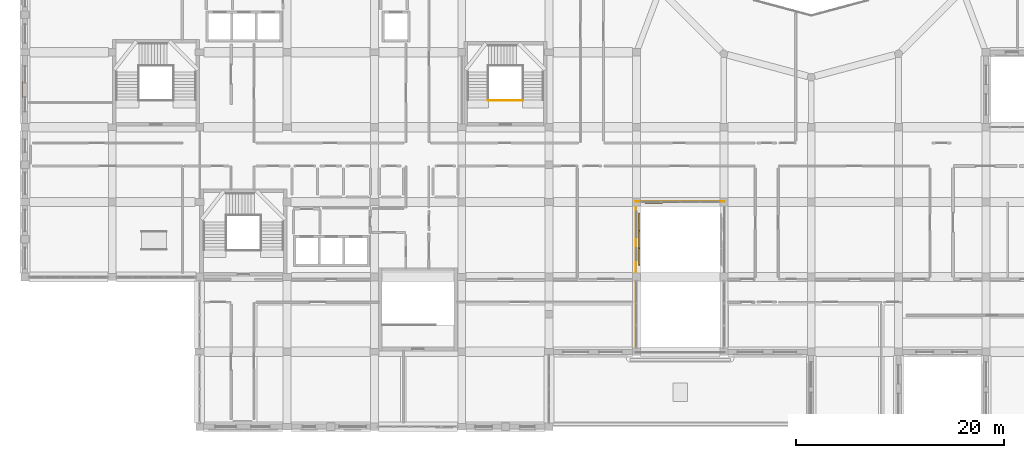
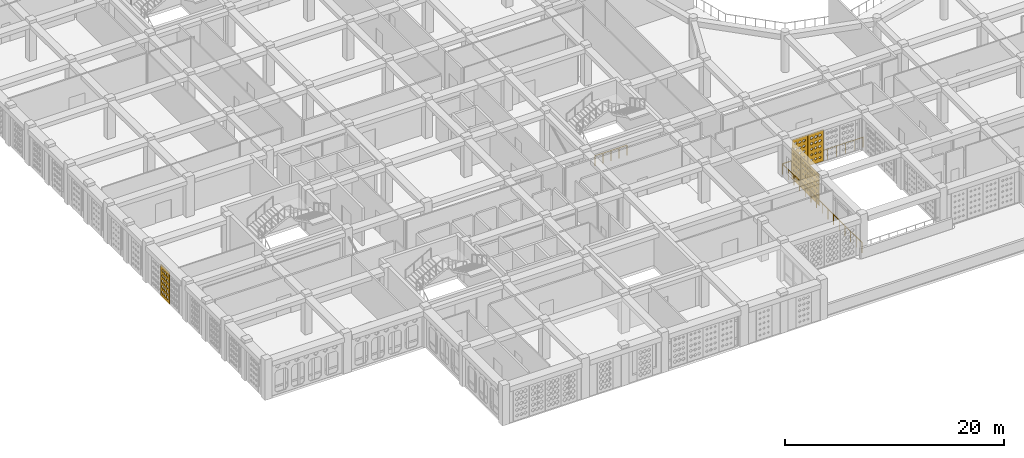
# One storey, part 79 of 111: 6 coverings, 3 railings.
"""IFC4 building model written with IfcOpenShell, lengths in metres."""

from ifc_helpers import new_model, si_unit, derived_unit, direction, frame, origin, origin_2d, place, context, subcontext, project, spatial, polyline, circle, outline, extrude, material, layer, layer_set, type_object, element, save


model = new_model("IFC4")

# Units and contexts
model_context = context("Model", 3, precision=1e-05, world=origin(), true_north=direction((0.0, 1.0)))
body_context = subcontext(model_context, "Body", "Model", "MODEL_VIEW")
ifc_project = project(units=[si_unit("LENGTHUNIT", "METRE"), si_unit("AREAUNIT", "SQUARE_METRE"), si_unit("VOLUMEUNIT", "CUBIC_METRE"), si_unit("PLANEANGLEUNIT", "RADIAN"), si_unit("MASSUNIT", "GRAM", prefix="KILO"), derived_unit("THERMALTRANSMITTANCEUNIT", [(si_unit("POWERUNIT", "WATT"), 1), (si_unit("LENGTHUNIT", "METRE"), -2), (si_unit("THERMODYNAMICTEMPERATUREUNIT", "KELVIN"), -1)])], contexts=[model_context])

# Site, building, storey
site_placement = place(None, origin())
site = spatial("IfcSite", under=ifc_project, at=site_placement, CompositionType="ELEMENT")
building_placement = place(site_placement, origin())
building = spatial("IfcBuilding", under=site, at=building_placement, Name="Veybourne Emporium", CompositionType="ELEMENT")
storey_placement = place(building_placement, frame((0.0, 0.0, 9.89990234375)))
storey = spatial("IfcBuildingStorey", under=building, at=storey_placement, Name="L02", CompositionType="ELEMENT", Elevation=9.89990234375)

# Railings
ifc_material_1 = material(Name="Patinated Architectural Bronze", Category="bronze")
railing_type_1 = type_object("IfcRailingType", Name="Balustrade_BL-01", PredefinedType="BALUSTRADE", material=ifc_material_1)
railing_1_placement = place(storey_placement, frame((67.260009765625, 21.659912109375, 0.0)))
element("IfcRailing", 1, at=railing_1_placement, inside=storey, type_object=railing_type_1, Name="L02 shopping arcade gallery balustrade 3", PredefinedType="BALUSTRADE", context=body_context, shape_type="SweptSolid", body=[
    extrude(circle(Radius=0.02392578125, at=origin_2d()), frame((0.0, 0.0, 1.1259765625), z_axis=(-1.0, 0.0, 0.0), x_axis=(0.0, -1.0, 0.0)), (0.0, 0.0, 1.0), 8.52001953125),
    extrude(circle(Radius=0.02099609375, at=origin_2d()), origin(), (0.0, 0.0, 1.0), 1.101806640625),
    extrude(circle(Radius=0.02099609375, at=origin_2d()), frame((-0.94677734375, 0.0, 0.0)), (0.0, 0.0, 1.0), 1.101806640625),
    extrude(circle(Radius=0.02099609375, at=origin_2d()), frame((-1.893310546875, 0.0, 0.0)), (0.0, 0.0, 1.0), 1.101806640625),
    extrude(circle(Radius=0.02099609375, at=origin_2d()), frame((-2.840087890625, 0.0, 0.0)), (0.0, 0.0, 1.0), 1.101806640625),
    extrude(circle(Radius=0.02099609375, at=origin_2d()), frame((-3.78662109375, 0.0, 0.0)), (0.0, 0.0, 1.0), 1.101806640625),
    extrude(circle(Radius=0.02099609375, at=origin_2d()), frame((-4.7333984375, 0.0, 0.0)), (0.0, 0.0, 1.0), 1.101806640625),
    extrude(circle(Radius=0.02099609375, at=origin_2d()), frame((-5.679931640625, 0.0, 0.0)), (0.0, 0.0, 1.0), 1.101806640625),
    extrude(circle(Radius=0.02099609375, at=origin_2d()), frame((-6.626708984375, 0.0, 0.0)), (0.0, 0.0, 1.0), 1.101806640625),
    extrude(circle(Radius=0.02099609375, at=origin_2d()), frame((-7.5732421875, 0.0, 0.0)), (0.0, 0.0, 1.0), 1.101806640625),
    extrude(circle(Radius=0.02099609375, at=origin_2d()), frame((-8.52001953125, 0.0, 0.0)), (0.0, 0.0, 1.0), 1.101806640625),
])
railing_2_placement = place(storey_placement, frame((58.739990234375, 21.659912109375, 0.0)))
element("IfcRailing", 2, at=railing_2_placement, inside=storey, type_object=railing_type_1, Name="L02 shopping arcade gallery balustrade 4", PredefinedType="BALUSTRADE", context=body_context, shape_type="SweptSolid", body=[
    extrude(circle(Radius=0.02392578125, at=origin_2d()), frame((0.0, 0.0, 1.1259765625), z_axis=(0.0, -1.0, 0.0), x_axis=(1.0, 0.0, 0.0)), (0.0, 0.0, 1.0), 14.52001953125),
    extrude(circle(Radius=0.02099609375, at=origin_2d()), origin(), (0.0, 0.0, 1.0), 1.101806640625),
    extrude(circle(Radius=0.02099609375, at=origin_2d()), frame((0.0, -1.037109375, 0.0)), (0.0, 0.0, 1.0), 1.101806640625),
    extrude(circle(Radius=0.02099609375, at=origin_2d()), frame((0.0, -2.07421875, 0.0)), (0.0, 0.0, 1.0), 1.101806640625),
    extrude(circle(Radius=0.02099609375, at=origin_2d()), frame((0.0, -3.111328125, 0.0)), (0.0, 0.0, 1.0), 1.101806640625),
    extrude(circle(Radius=0.02099609375, at=origin_2d()), frame((0.0, -4.148681640625, 0.0)), (0.0, 0.0, 1.0), 1.101806640625),
    extrude(circle(Radius=0.02099609375, at=origin_2d()), frame((0.0, -5.185791015625, 0.0)), (0.0, 0.0, 1.0), 1.101806640625),
    extrude(circle(Radius=0.02099609375, at=origin_2d()), frame((0.0, -6.222900390625, 0.0)), (0.0, 0.0, 1.0), 1.101806640625),
    extrude(circle(Radius=0.02099609375, at=origin_2d()), frame((0.0, -7.260009765625, 0.0)), (0.0, 0.0, 1.0), 1.101806640625),
    extrude(circle(Radius=0.02099609375, at=origin_2d()), frame((0.0, -8.297119140625, 0.0)), (0.0, 0.0, 1.0), 1.101806640625),
    extrude(circle(Radius=0.02099609375, at=origin_2d()), frame((0.0, -9.334228515625, 0.0)), (0.0, 0.0, 1.0), 1.101806640625),
    extrude(circle(Radius=0.02099609375, at=origin_2d()), frame((0.0, -10.371337890625, 0.0)), (0.0, 0.0, 1.0), 1.101806640625),
    extrude(circle(Radius=0.02099609375, at=origin_2d()), frame((0.0, -11.40869140625, 0.0)), (0.0, 0.0, 1.0), 1.101806640625),
    extrude(circle(Radius=0.02099609375, at=origin_2d()), frame((0.0, -12.44580078125, 0.0)), (0.0, 0.0, 1.0), 1.101806640625),
    extrude(circle(Radius=0.02099609375, at=origin_2d()), frame((0.0, -13.48291015625, 0.0)), (0.0, 0.0, 1.0), 1.101806640625),
    extrude(circle(Radius=0.02099609375, at=origin_2d()), frame((0.0, -14.52001953125, 0.0)), (0.0, 0.0, 1.0), 1.101806640625),
])
ifc_material_2 = material(Name="Brushed Stainless Steel", Category="steel")
railing_type_2 = type_object("IfcRailingType", Name="Guard_GR-01", PredefinedType="GUARDRAIL", material=ifc_material_2)
railing_3_placement = place(storey_placement, frame((44.510009765625, 31.360107421875, 0.0)))
element("IfcRailing", 3, at=railing_3_placement, inside=storey, type_object=railing_type_2, Name="L02 ST-05 stair guard 4", PredefinedType="GUARDRAIL", context=body_context, shape_type="SweptSolid", body=[
    extrude(circle(Radius=0.02392578125, at=origin_2d()), frame((0.0, 0.0, 1.1259765625), z_axis=(1.0, 0.0, 0.0), x_axis=(0.0, 1.0, 0.0)), (0.0, 0.0, 1.0), 3.3798828125),
    extrude(circle(Radius=0.02099609375, at=origin_2d()), origin(), (0.0, 0.0, 1.0), 1.101806640625),
    extrude(circle(Radius=0.02099609375, at=origin_2d()), frame((0.844970703125, 0.0, 0.0)), (0.0, 0.0, 1.0), 1.101806640625),
    extrude(circle(Radius=0.02099609375, at=origin_2d()), frame((1.68994140625, 0.0, 0.0)), (0.0, 0.0, 1.0), 1.101806640625),
    extrude(circle(Radius=0.02099609375, at=origin_2d()), frame((2.534912109375, 0.0, 0.0)), (0.0, 0.0, 1.0), 1.101806640625),
    extrude(circle(Radius=0.02099609375, at=origin_2d()), frame((3.3798828125, 0.0, 0.0)), (0.0, 0.0, 1.0), 1.101806640625),
])

# Coverings
ifc_material_3 = material(Name="Warm-White Perforated Aluminium Screen Alloy", Category="aluminium")
ifc_layer_1 = layer(ifc_material_3, 0.06005859375)
ifc_layer_set_1 = layer_set([ifc_layer_1], Name="Warm-White Perforated Aluminium Screen Alloy")
covering_type_1 = type_object("IfcCoveringType", Name="WaveScreen_SCR-01", PredefinedType="CLADDING", material=ifc_layer_set_1)
covering_1_placement = place(storey_placement, frame((-0.298095703125, 32.425048828125, 1.815185546875), z_axis=(1.0, 0.0, 0.0), x_axis=(0.0, 1.0, 0.0)))
element("IfcCovering", 4, at=covering_1_placement, inside=storey, type_object=covering_type_1, Name="L02 wave-perforated aluminium screen SCR-01 (4.2)", PredefinedType="CLADDING", context=body_context, shape_type="SweptSolid", body=[
    extrude(outline(polyline([(-0.81982421875, -1.7548828125), (0.81982421875, -1.7548828125), (0.81982421875, 1.7548828125), (-0.81982421875, 1.7548828125), (-0.81982421875, -1.7548828125)]), holes=[polyline([(-0.433349609375, -0.9775390625), (-0.2470703125, -1.137939453125), (-0.2470703125, -1.318115234375), (-0.433349609375, -1.478515625), (-0.61962890625, -1.318115234375), (-0.61962890625, -1.137939453125), (-0.433349609375, -0.9775390625)]), polyline([(-0.433349609375, -0.37451171875), (-0.2470703125, -0.52783203125), (-0.2470703125, -0.7001953125), (-0.433349609375, -0.853515625), (-0.61962890625, -0.7001953125), (-0.61962890625, -0.52783203125), (-0.433349609375, -0.37451171875)]), polyline([(-0.433349609375, 0.227294921875), (-0.2470703125, 0.081787109375), (-0.2470703125, -0.081787109375), (-0.433349609375, -0.227294921875), (-0.61962890625, -0.081787109375), (-0.61962890625, 0.081787109375), (-0.433349609375, 0.227294921875)]), polyline([(-0.433349609375, 0.827880859375), (-0.248291015625, 0.69091796875), (-0.248291015625, 0.537109375), (-0.433349609375, 0.400146484375), (-0.618408203125, 0.537109375), (-0.618408203125, 0.69091796875), (-0.433349609375, 0.827880859375)]), polyline([(-0.433349609375, 1.427978515625), (-0.259765625, 1.300048828125), (-0.259765625, 1.156005859375), (-0.433349609375, 1.028076171875), (-0.60693359375, 1.156005859375), (-0.60693359375, 1.300048828125), (-0.433349609375, 1.427978515625)]), polyline([(0.0, -0.982421875), (0.186279296875, -1.1396484375), (0.186279296875, -1.31640625), (0.0, -1.4736328125), (-0.186279296875, -1.31640625), (-0.186279296875, -1.1396484375), (0.0, -0.982421875)]), polyline([(0.0, -0.3798828125), (0.186279296875, -0.52978515625), (0.186279296875, -0.6982421875), (0.0, -0.84814453125), (-0.186279296875, -0.6982421875), (-0.186279296875, -0.52978515625), (0.0, -0.3798828125)]), polyline([(0.0, 0.22119140625), (0.186279296875, 0.07958984375), (0.186279296875, -0.07958984375), (0.0, -0.22119140625), (-0.186279296875, -0.07958984375), (-0.186279296875, 0.07958984375), (0.0, 0.22119140625)]), polyline([(0.0, 0.821533203125), (0.179931640625, 0.688720703125), (0.179931640625, 0.539306640625), (0.0, 0.406494140625), (-0.179931640625, 0.539306640625), (-0.179931640625, 0.688720703125), (0.0, 0.821533203125)]), polyline([(0.0, 1.42138671875), (0.168212890625, 1.297607421875), (0.168212890625, 1.158203125), (0.0, 1.034423828125), (-0.168212890625, 1.158203125), (-0.168212890625, 1.297607421875), (0.0, 1.42138671875)]), polyline([(0.433349609375, -0.9873046875), (0.61962890625, -1.141357421875), (0.61962890625, -1.314697265625), (0.433349609375, -1.468505859375), (0.2470703125, -1.314697265625), (0.2470703125, -1.141357421875), (0.433349609375, -0.9873046875)]), polyline([(0.433349609375, -0.385498046875), (0.61962890625, -0.53173828125), (0.61962890625, -0.6962890625), (0.433349609375, -0.84228515625), (0.2470703125, -0.6962890625), (0.2470703125, -0.53173828125), (0.433349609375, -0.385498046875)]), polyline([(0.433349609375, 0.215087890625), (0.619384765625, 0.077392578125), (0.619384765625, -0.077392578125), (0.433349609375, -0.215087890625), (0.247314453125, -0.077392578125), (0.247314453125, 0.077392578125), (0.433349609375, 0.215087890625)]), polyline([(0.433349609375, 0.815185546875), (0.60791015625, 0.6865234375), (0.60791015625, 0.54150390625), (0.433349609375, 0.41259765625), (0.2587890625, 0.54150390625), (0.2587890625, 0.6865234375), (0.433349609375, 0.815185546875)]), polyline([(0.433349609375, 1.4150390625), (0.596435546875, 1.29541015625), (0.596435546875, 1.16064453125), (0.433349609375, 1.041015625), (0.270263671875, 1.16064453125), (0.270263671875, 1.29541015625), (0.433349609375, 1.4150390625)])]), origin(), (0.0, 0.0, 1.0), 0.06005859375),
])
covering_2_placement = place(storey_placement, frame((59.09814453125, 16.320068359375, 1.815185546875), z_axis=(-1.0, 0.0, 0.0), x_axis=(0.0, -1.0, 0.0)))
element("IfcCovering", 5, at=covering_2_placement, inside=storey, type_object=covering_type_1, Name="L02 wave-perforated aluminium screen SCR-01 (31.3)", PredefinedType="CLADDING", context=body_context, shape_type="SweptSolid", body=[
    extrude(outline(polyline([(-0.81982421875, -1.7548828125), (0.81982421875, -1.7548828125), (0.81982421875, 1.7548828125), (-0.81982421875, 1.7548828125), (-0.81982421875, -1.7548828125)]), holes=[polyline([(-0.433349609375, -1.098876953125), (-0.317626953125, -1.181396484375), (-0.317626953125, -1.2744140625), (-0.433349609375, -1.357177734375), (-0.549072265625, -1.2744140625), (-0.549072265625, -1.181396484375), (-0.433349609375, -1.098876953125)]), polyline([(-0.433349609375, -0.492919921875), (-0.32421875, -0.5703125), (-0.32421875, -0.65771484375), (-0.433349609375, -0.735107421875), (-0.542236328125, -0.65771484375), (-0.542236328125, -0.5703125), (-0.433349609375, -0.492919921875)]), polyline([(-0.433349609375, 0.114990234375), (-0.3291015625, 0.04150390625), (-0.3291015625, -0.04150390625), (-0.433349609375, -0.114990234375), (-0.537353515625, -0.04150390625), (-0.537353515625, 0.04150390625), (-0.433349609375, 0.114990234375)]), polyline([(-0.433349609375, 0.725341796875), (-0.332275390625, 0.654052734375), (-0.332275390625, 0.573974609375), (-0.433349609375, 0.502685546875), (-0.534423828125, 0.573974609375), (-0.534423828125, 0.654052734375), (-0.433349609375, 0.725341796875)]), polyline([(-0.433349609375, 1.337890625), (-0.333251953125, 1.267578125), (-0.333251953125, 1.1884765625), (-0.433349609375, 1.117919921875), (-0.533203125, 1.1884765625), (-0.533203125, 1.267578125), (-0.433349609375, 1.337890625)]), polyline([(0.0, -1.094482421875), (0.119140625, -1.179931640625), (0.119140625, -1.27587890625), (0.0, -1.361328125), (-0.119140625, -1.27587890625), (-0.119140625, -1.179931640625), (0.0, -1.094482421875)]), polyline([(0.0, -0.489501953125), (0.11181640625, -0.569091796875), (0.11181640625, -0.65869140625), (0.0, -0.73828125), (-0.11181640625, -0.65869140625), (-0.11181640625, -0.569091796875), (0.0, -0.489501953125)]), polyline([(0.0, 0.117431640625), (0.106201171875, 0.042236328125), (0.106201171875, -0.042236328125), (0.0, -0.117431640625), (-0.106201171875, -0.042236328125), (-0.106201171875, 0.042236328125), (0.0, 0.117431640625)]), polyline([(0.0, 0.726806640625), (0.102294921875, 0.654541015625), (0.102294921875, 0.573486328125), (0.0, 0.501220703125), (-0.102294921875, 0.573486328125), (-0.102294921875, 0.654541015625), (0.0, 0.726806640625)]), polyline([(0.0, 1.33837890625), (0.10009765625, 1.267578125), (0.10009765625, 1.188232421875), (0.0, 1.11767578125), (-0.10009765625, 1.188232421875), (-0.10009765625, 1.267578125), (0.0, 1.33837890625)]), polyline([(0.433349609375, -1.08984375), (0.556396484375, -1.17822265625), (0.556396484375, -1.277587890625), (0.433349609375, -1.3662109375), (0.310302734375, -1.277587890625), (0.310302734375, -1.17822265625), (0.433349609375, -1.08984375)]), polyline([(0.433349609375, -0.485595703125), (0.54833984375, -0.56787109375), (0.54833984375, -0.66015625), (0.433349609375, -0.7421875), (0.318359375, -0.66015625), (0.318359375, -0.56787109375), (0.433349609375, -0.485595703125)]), polyline([(0.433349609375, 0.120361328125), (0.541748046875, 0.043212890625), (0.541748046875, -0.043212890625), (0.433349609375, -0.120361328125), (0.324951171875, -0.043212890625), (0.324951171875, 0.043212890625), (0.433349609375, 0.120361328125)]), polyline([(0.433349609375, 0.728515625), (0.537109375, 0.6552734375), (0.537109375, 0.57275390625), (0.433349609375, 0.49951171875), (0.32958984375, 0.57275390625), (0.32958984375, 0.6552734375), (0.433349609375, 0.728515625)]), polyline([(0.433349609375, 1.339111328125), (0.5341796875, 1.26806640625), (0.5341796875, 1.18798828125), (0.433349609375, 1.116943359375), (0.33251953125, 1.18798828125), (0.33251953125, 1.26806640625), (0.433349609375, 1.339111328125)])]), origin(), (0.0, 0.0, 1.0), 0.06005859375),
])
ifc_layer_2 = layer(ifc_material_3, 0.06005859375)
ifc_layer_set_2 = layer_set([ifc_layer_2], Name="Warm-White Perforated Aluminium Screen Alloy")
covering_type_2 = type_object("IfcCoveringType", Name="WaveScreen_SCR-03", PredefinedType="CLADDING", material=ifc_layer_set_2)
covering_3_placement = place(storey_placement, frame((59.09814453125, 19.679931640625, 1.815185546875), z_axis=(-1.0, 0.0, 0.0), x_axis=(0.0, -1.0, 0.0)))
element("IfcCovering", 6, at=covering_3_placement, inside=storey, type_object=covering_type_2, Name="L02 wave-perforated aluminium screen SCR-03 (31.1)", PredefinedType="CLADDING", context=body_context, shape_type="SweptSolid", body=[
    extrude(outline(polyline([(-0.81982421875, -1.7548828125), (0.81982421875, -1.7548828125), (0.81982421875, 1.7548828125), (-0.81982421875, 1.7548828125), (-0.81982421875, -1.7548828125)]), holes=[polyline([(-0.433349609375, -1.11767578125), (-0.3330078125, -1.188232421875), (-0.3330078125, -1.267578125), (-0.433349609375, -1.33837890625), (-0.53369140625, -1.267578125), (-0.53369140625, -1.188232421875), (-0.433349609375, -1.11767578125)]), polyline([(-0.433349609375, -0.503662109375), (-0.3330078125, -0.57421875), (-0.3330078125, -0.65380859375), (-0.433349609375, -0.724365234375), (-0.53369140625, -0.65380859375), (-0.53369140625, -0.57421875), (-0.433349609375, -0.503662109375)]), polyline([(-0.433349609375, 0.112548828125), (-0.331298828125, 0.04052734375), (-0.331298828125, -0.04052734375), (-0.433349609375, -0.112548828125), (-0.535400390625, -0.04052734375), (-0.535400390625, 0.04052734375), (-0.433349609375, 0.112548828125)]), polyline([(-0.433349609375, 0.7314453125), (-0.327392578125, 0.65625), (-0.327392578125, 0.57177734375), (-0.433349609375, 0.49658203125), (-0.539306640625, 0.57177734375), (-0.539306640625, 0.65625), (-0.433349609375, 0.7314453125)]), polyline([(-0.433349609375, 1.352294921875), (-0.321533203125, 1.272705078125), (-0.321533203125, 1.18310546875), (-0.433349609375, 1.103759765625), (-0.544921875, 1.18310546875), (-0.544921875, 1.272705078125), (-0.433349609375, 1.352294921875)]), polyline([(0.0, -1.11669921875), (0.100830078125, -1.18798828125), (0.100830078125, -1.26806640625), (0.0, -1.339111328125), (-0.100830078125, -1.26806640625), (-0.100830078125, -1.18798828125), (0.0, -1.11669921875)]), polyline([(0.0, -0.50390625), (0.10009765625, -0.574462890625), (0.10009765625, -0.653564453125), (0.0, -0.72412109375), (-0.10009765625, -0.653564453125), (-0.10009765625, -0.574462890625), (0.0, -0.50390625)]), polyline([(0.0, 0.111328125), (0.10107421875, 0.0400390625), (0.10107421875, -0.0400390625), (0.0, -0.111328125), (-0.10107421875, -0.0400390625), (-0.10107421875, 0.0400390625), (0.0, 0.111328125)]), polyline([(0.0, 0.72900390625), (0.10400390625, 0.655517578125), (0.10400390625, 0.572509765625), (0.0, 0.4990234375), (-0.10400390625, 0.572509765625), (-0.10400390625, 0.655517578125), (0.0, 0.72900390625)]), polyline([(0.0, 1.348876953125), (0.10888671875, 1.271484375), (0.10888671875, 1.1845703125), (0.0, 1.107177734375), (-0.10888671875, 1.1845703125), (-0.10888671875, 1.271484375), (0.0, 1.348876953125)]), polyline([(0.433349609375, -1.115478515625), (0.535400390625, -1.1875), (0.535400390625, -1.2685546875), (0.433349609375, -1.340576171875), (0.331298828125, -1.2685546875), (0.331298828125, -1.1875), (0.433349609375, -1.115478515625)]), polyline([(0.433349609375, -0.50390625), (0.533447265625, -0.57421875), (0.533447265625, -0.65380859375), (0.433349609375, -0.72412109375), (0.3330078125, -0.65380859375), (0.3330078125, -0.57421875), (0.433349609375, -0.50390625)]), polyline([(0.433349609375, 0.1103515625), (0.53369140625, 0.039794921875), (0.53369140625, -0.039794921875), (0.433349609375, -0.1103515625), (0.3330078125, -0.039794921875), (0.3330078125, 0.039794921875), (0.433349609375, 0.1103515625)]), polyline([(0.433349609375, 0.72705078125), (0.535888671875, 0.65478515625), (0.535888671875, 0.5732421875), (0.433349609375, 0.5009765625), (0.330810546875, 0.5732421875), (0.330810546875, 0.65478515625), (0.433349609375, 0.72705078125)]), polyline([(0.433349609375, 1.345947265625), (0.539794921875, 1.2705078125), (0.539794921875, 1.185546875), (0.433349609375, 1.110107421875), (0.326904296875, 1.185546875), (0.326904296875, 1.2705078125), (0.433349609375, 1.345947265625)])]), origin(), (0.0, 0.0, 1.0), 0.06005859375),
])
covering_4_placement = place(storey_placement, frame((62.159912109375, 21.5029296875, 1.815185546875), z_axis=(0.0, 1.0, 0.0), x_axis=(-1.0, 0.0, 0.0)))
element("IfcCovering", 7, at=covering_4_placement, inside=storey, type_object=covering_type_2, Name="L02 wave-perforated aluminium screen SCR-03 (33C.3)", PredefinedType="CLADDING", context=body_context, shape_type="SweptSolid", body=[
    extrude(outline(polyline([(-0.81982421875, -1.7548828125), (0.81982421875, -1.7548828125), (0.81982421875, 1.7548828125), (-0.81982421875, 1.7548828125), (-0.81982421875, -1.7548828125)]), holes=[polyline([(-0.433349609375, -1.093017578125), (-0.312744140625, -1.179443359375), (-0.312744140625, -1.276611328125), (-0.433349609375, -1.363037109375), (-0.5537109375, -1.276611328125), (-0.5537109375, -1.179443359375), (-0.433349609375, -1.093017578125)]), polyline([(-0.433349609375, -0.468017578125), (-0.303955078125, -0.561279296875), (-0.303955078125, -0.66650390625), (-0.433349609375, -0.760009765625), (-0.562744140625, -0.66650390625), (-0.562744140625, -0.561279296875), (-0.433349609375, -0.468017578125)]), polyline([(-0.433349609375, 0.158447265625), (-0.293701171875, 0.056884765625), (-0.293701171875, -0.056884765625), (-0.433349609375, -0.158447265625), (-0.572998046875, -0.056884765625), (-0.572998046875, 0.056884765625), (-0.433349609375, 0.158447265625)]), polyline([(-0.433349609375, 0.78564453125), (-0.28271484375, 0.67578125), (-0.28271484375, 0.55224609375), (-0.433349609375, 0.4423828125), (-0.583740234375, 0.55224609375), (-0.583740234375, 0.67578125), (-0.433349609375, 0.78564453125)]), polyline([(-0.433349609375, 1.413818359375), (-0.271484375, 1.294921875), (-0.271484375, 1.1611328125), (-0.433349609375, 1.042236328125), (-0.59521484375, 1.1611328125), (-0.59521484375, 1.294921875), (-0.433349609375, 1.413818359375)]), polyline([(0.0, -1.097412109375), (0.116943359375, -1.180908203125), (0.116943359375, -1.27490234375), (0.0, -1.358642578125), (-0.116943359375, -1.27490234375), (-0.116943359375, -1.180908203125), (0.0, -1.097412109375)]), polyline([(0.0, -0.47314453125), (0.125244140625, -0.563232421875), (0.125244140625, -0.664794921875), (0.0, -0.7548828125), (-0.125244140625, -0.664794921875), (-0.125244140625, -0.563232421875), (0.0, -0.47314453125)]), polyline([(0.0, 0.152587890625), (0.135009765625, 0.054931640625), (0.135009765625, -0.054931640625), (0.0, -0.152587890625), (-0.135009765625, -0.054931640625), (-0.135009765625, 0.054931640625), (0.0, 0.152587890625)]), polyline([(0.0, 0.779541015625), (0.1455078125, 0.673583984375), (0.1455078125, 0.554443359375), (0.0, 0.448486328125), (-0.1455078125, 0.554443359375), (-0.1455078125, 0.673583984375), (0.0, 0.779541015625)]), polyline([(0.0, 1.4072265625), (0.15673828125, 1.29248046875), (0.15673828125, 1.16357421875), (0.0, 1.048583984375), (-0.15673828125, 1.16357421875), (-0.15673828125, 1.29248046875), (0.0, 1.4072265625)]), polyline([(0.433349609375, -1.1015625), (0.546875, -1.182373046875), (0.546875, -1.273681640625), (0.433349609375, -1.3544921875), (0.31982421875, -1.273681640625), (0.31982421875, -1.182373046875), (0.433349609375, -1.1015625)]), polyline([(0.433349609375, -0.47802734375), (0.5546875, -0.56494140625), (0.5546875, -0.6630859375), (0.433349609375, -0.75), (0.31201171875, -0.6630859375), (0.31201171875, -0.56494140625), (0.433349609375, -0.47802734375)]), polyline([(0.433349609375, 0.147216796875), (0.563720703125, 0.052978515625), (0.563720703125, -0.052978515625), (0.433349609375, -0.147216796875), (0.302978515625, -0.052978515625), (0.302978515625, 0.052978515625), (0.433349609375, 0.147216796875)]), polyline([(0.433349609375, 0.773681640625), (0.573974609375, 0.67138671875), (0.573974609375, 0.556640625), (0.433349609375, 0.454345703125), (0.292724609375, 0.556640625), (0.292724609375, 0.67138671875), (0.433349609375, 0.773681640625)]), polyline([(0.433349609375, 1.40087890625), (0.5849609375, 1.290283203125), (0.5849609375, 1.165771484375), (0.433349609375, 1.054931640625), (0.28173828125, 1.165771484375), (0.28173828125, 1.290283203125), (0.433349609375, 1.40087890625)])]), origin(), (0.0, 0.0, 1.0), 0.06005859375),
])
ifc_layer_3 = layer(ifc_material_3, 0.06005859375)
ifc_layer_set_3 = layer_set([ifc_layer_3], Name="Warm-White Perforated Aluminium Screen Alloy")
covering_type_3 = type_object("IfcCoveringType", Name="WaveScreen_SCR-04", PredefinedType="CLADDING", material=ifc_layer_set_3)
covering_5_placement = place(storey_placement, frame((59.09814453125, 18.0, 1.815185546875), z_axis=(-1.0, 0.0, 0.0), x_axis=(0.0, -1.0, 0.0)))
element("IfcCovering", 8, at=covering_5_placement, inside=storey, type_object=covering_type_3, Name="L02 wave-perforated aluminium screen SCR-04 (31.2)", PredefinedType="CLADDING", context=body_context, shape_type="SweptSolid", body=[
    extrude(outline(polyline([(-0.81982421875, -1.7548828125), (0.81982421875, -1.7548828125), (0.81982421875, 1.7548828125), (-0.81982421875, 1.7548828125), (-0.81982421875, -1.7548828125)]), holes=[polyline([(-0.433349609375, -1.11181640625), (-0.328125, -1.18603515625), (-0.328125, -1.27001953125), (-0.433349609375, -1.34423828125), (-0.53857421875, -1.27001953125), (-0.53857421875, -1.18603515625), (-0.433349609375, -1.11181640625)]), polyline([(-0.433349609375, -0.501953125), (-0.331787109375, -0.57373046875), (-0.331787109375, -0.654296875), (-0.433349609375, -0.72607421875), (-0.534912109375, -0.654296875), (-0.534912109375, -0.57373046875), (-0.433349609375, -0.501953125)]), polyline([(-0.433349609375, 0.110107421875), (-0.333251953125, 0.03955078125), (-0.333251953125, -0.03955078125), (-0.433349609375, -0.110107421875), (-0.533447265625, -0.03955078125), (-0.533447265625, 0.03955078125), (-0.433349609375, 0.110107421875)]), polyline([(-0.433349609375, 0.724609375), (-0.332763671875, 0.65380859375), (-0.332763671875, 0.57421875), (-0.433349609375, 0.50341796875), (-0.53369140625, 0.57421875), (-0.53369140625, 0.65380859375), (-0.433349609375, 0.724609375)]), polyline([(-0.433349609375, 1.341552734375), (-0.330322265625, 1.268798828125), (-0.330322265625, 1.18701171875), (-0.433349609375, 1.114501953125), (-0.536376953125, 1.18701171875), (-0.536376953125, 1.268798828125), (-0.433349609375, 1.341552734375)]), polyline([(0.0, -1.10888671875), (0.107421875, -1.185302734375), (0.107421875, -1.270751953125), (0.0, -1.346923828125), (-0.107421875, -1.270751953125), (-0.107421875, -1.185302734375), (0.0, -1.10888671875)]), polyline([(0.0, -0.50048828125), (0.10302734375, -0.572998046875), (0.10302734375, -0.65478515625), (0.0, -0.7275390625), (-0.10302734375, -0.65478515625), (-0.10302734375, -0.572998046875), (0.0, -0.50048828125)]), polyline([(0.0, 0.110595703125), (0.1005859375, 0.039794921875), (0.1005859375, -0.039794921875), (0.0, -0.110595703125), (-0.1005859375, -0.039794921875), (-0.1005859375, 0.039794921875), (0.0, 0.110595703125)]), polyline([(0.0, 0.72412109375), (0.10009765625, 0.653564453125), (0.10009765625, 0.574462890625), (0.0, 0.50390625), (-0.10009765625, 0.574462890625), (-0.10009765625, 0.653564453125), (0.0, 0.72412109375)]), polyline([(0.0, 1.33984375), (0.1015625, 1.268310546875), (0.1015625, 1.187744140625), (0.0, 1.1162109375), (-0.1015625, 1.187744140625), (-0.1015625, 1.268310546875), (0.0, 1.33984375)]), polyline([(0.433349609375, -1.10595703125), (0.543212890625, -1.18408203125), (0.543212890625, -1.27197265625), (0.433349609375, -1.35009765625), (0.323486328125, -1.27197265625), (0.323486328125, -1.18408203125), (0.433349609375, -1.10595703125)]), polyline([(0.433349609375, -0.498291015625), (0.5380859375, -0.572265625), (0.5380859375, -0.65576171875), (0.433349609375, -0.729736328125), (0.32861328125, -0.65576171875), (0.32861328125, -0.572265625), (0.433349609375, -0.498291015625)]), polyline([(0.433349609375, 0.11181640625), (0.53466796875, 0.040283203125), (0.53466796875, -0.040283203125), (0.433349609375, -0.11181640625), (0.331787109375, -0.040283203125), (0.331787109375, 0.040283203125), (0.433349609375, 0.11181640625)]), polyline([(0.433349609375, 0.72412109375), (0.533447265625, 0.653564453125), (0.533447265625, 0.574462890625), (0.433349609375, 0.50390625), (0.333251953125, 0.574462890625), (0.333251953125, 0.653564453125), (0.433349609375, 0.72412109375)]), polyline([(0.433349609375, 1.3388671875), (0.533935546875, 1.267822265625), (0.533935546875, 1.18798828125), (0.433349609375, 1.1171875), (0.332763671875, 1.18798828125), (0.332763671875, 1.267822265625), (0.433349609375, 1.3388671875)])]), origin(), (0.0, 0.0, 1.0), 0.06005859375),
])
covering_6_placement = place(storey_placement, frame((60.47998046875, 21.5029296875, 1.815185546875), z_axis=(0.0, 1.0, 0.0), x_axis=(-1.0, 0.0, 0.0)))
element("IfcCovering", 9, at=covering_6_placement, inside=storey, type_object=covering_type_3, Name="L02 wave-perforated aluminium screen SCR-04 (33C.4)", PredefinedType="CLADDING", context=body_context, shape_type="SweptSolid", body=[
    extrude(outline(polyline([(-0.81982421875, -1.7548828125), (0.81982421875, -1.7548828125), (0.81982421875, 1.7548828125), (-0.81982421875, 1.7548828125), (-0.81982421875, -1.7548828125)]), holes=[polyline([(-0.433349609375, -1.10791015625), (-0.3251953125, -1.184814453125), (-0.3251953125, -1.271240234375), (-0.433349609375, -1.347900390625), (-0.54150390625, -1.271240234375), (-0.54150390625, -1.184814453125), (-0.433349609375, -1.10791015625)]), polyline([(-0.433349609375, -0.486083984375), (-0.318603515625, -0.568115234375), (-0.318603515625, -0.659912109375), (-0.433349609375, -0.74169921875), (-0.5478515625, -0.659912109375), (-0.5478515625, -0.568115234375), (-0.433349609375, -0.486083984375)]), polyline([(-0.433349609375, 0.137451171875), (-0.310791015625, 0.049560546875), (-0.310791015625, -0.049560546875), (-0.433349609375, -0.137451171875), (-0.555908203125, -0.049560546875), (-0.555908203125, 0.049560546875), (-0.433349609375, 0.137451171875)]), polyline([(-0.433349609375, 0.762939453125), (-0.301513671875, 0.66748046875), (-0.301513671875, 0.560302734375), (-0.433349609375, 0.465087890625), (-0.565185546875, 0.560302734375), (-0.565185546875, 0.66748046875), (-0.433349609375, 0.762939453125)]), polyline([(-0.433349609375, 1.389404296875), (-0.291259765625, 1.2861328125), (-0.291259765625, 1.169921875), (-0.433349609375, 1.06640625), (-0.575439453125, 1.169921875), (-0.575439453125, 1.2861328125), (-0.433349609375, 1.389404296875)]), polyline([(0.0, -1.11083984375), (0.10595703125, -1.185791015625), (0.10595703125, -1.270263671875), (0.0, -1.34521484375), (-0.10595703125, -1.270263671875), (-0.10595703125, -1.185791015625), (0.0, -1.11083984375)]), polyline([(0.0, -0.489990234375), (0.111572265625, -0.5693359375), (0.111572265625, -0.65869140625), (0.0, -0.738037109375), (-0.111572265625, -0.65869140625), (-0.111572265625, -0.5693359375), (0.0, -0.489990234375)]), polyline([(0.0, 0.1328125), (0.11865234375, 0.0478515625), (0.11865234375, -0.0478515625), (0.0, -0.1328125), (-0.11865234375, -0.0478515625), (-0.11865234375, 0.0478515625), (0.0, 0.1328125)]), polyline([(0.0, 0.757568359375), (0.12744140625, 0.665771484375), (0.12744140625, 0.562255859375), (0.0, 0.470458984375), (-0.12744140625, 0.562255859375), (-0.12744140625, 0.665771484375), (0.0, 0.757568359375)]), polyline([(0.0, 1.383544921875), (0.13720703125, 1.283935546875), (0.13720703125, 1.172119140625), (0.0, 1.072509765625), (-0.13720703125, 1.172119140625), (-0.13720703125, 1.283935546875), (0.0, 1.383544921875)]), polyline([(0.433349609375, -1.11328125), (0.537109375, -1.186767578125), (0.537109375, -1.269287109375), (0.433349609375, -1.3427734375), (0.329345703125, -1.269287109375), (0.329345703125, -1.186767578125), (0.433349609375, -1.11328125)]), polyline([(0.433349609375, -0.493408203125), (0.5419921875, -0.570556640625), (0.5419921875, -0.657470703125), (0.433349609375, -0.734619140625), (0.32470703125, -0.657470703125), (0.32470703125, -0.570556640625), (0.433349609375, -0.493408203125)]), polyline([(0.433349609375, 0.128662109375), (0.548583984375, 0.04638671875), (0.548583984375, -0.04638671875), (0.433349609375, -0.128662109375), (0.318115234375, -0.04638671875), (0.318115234375, 0.04638671875), (0.433349609375, 0.128662109375)]), polyline([(0.433349609375, 0.75244140625), (0.556640625, 0.663818359375), (0.556640625, 0.564208984375), (0.433349609375, 0.4755859375), (0.31005859375, 0.564208984375), (0.31005859375, 0.663818359375), (0.433349609375, 0.75244140625)]), polyline([(0.433349609375, 1.3779296875), (0.566162109375, 1.281982421875), (0.566162109375, 1.174072265625), (0.433349609375, 1.077880859375), (0.300537109375, 1.174072265625), (0.300537109375, 1.281982421875), (0.433349609375, 1.3779296875)])]), origin(), (0.0, 0.0, 1.0), 0.06005859375),
])

save(model, "model.ifc")
